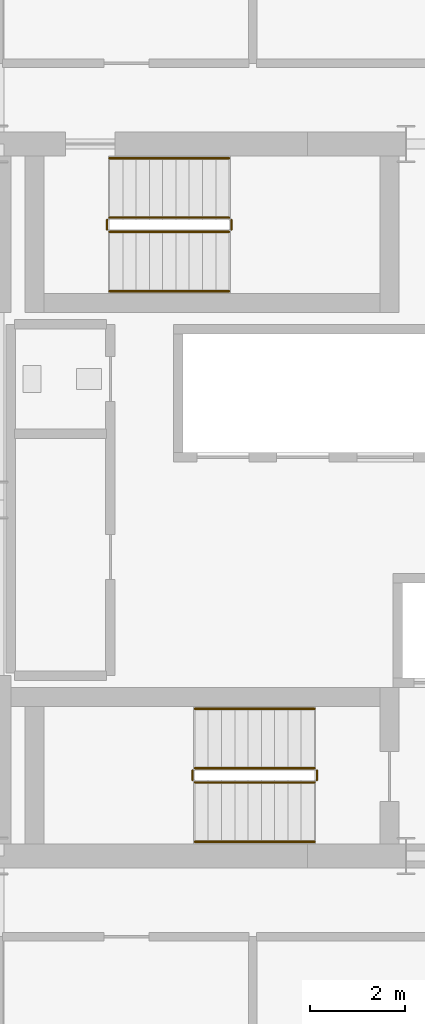
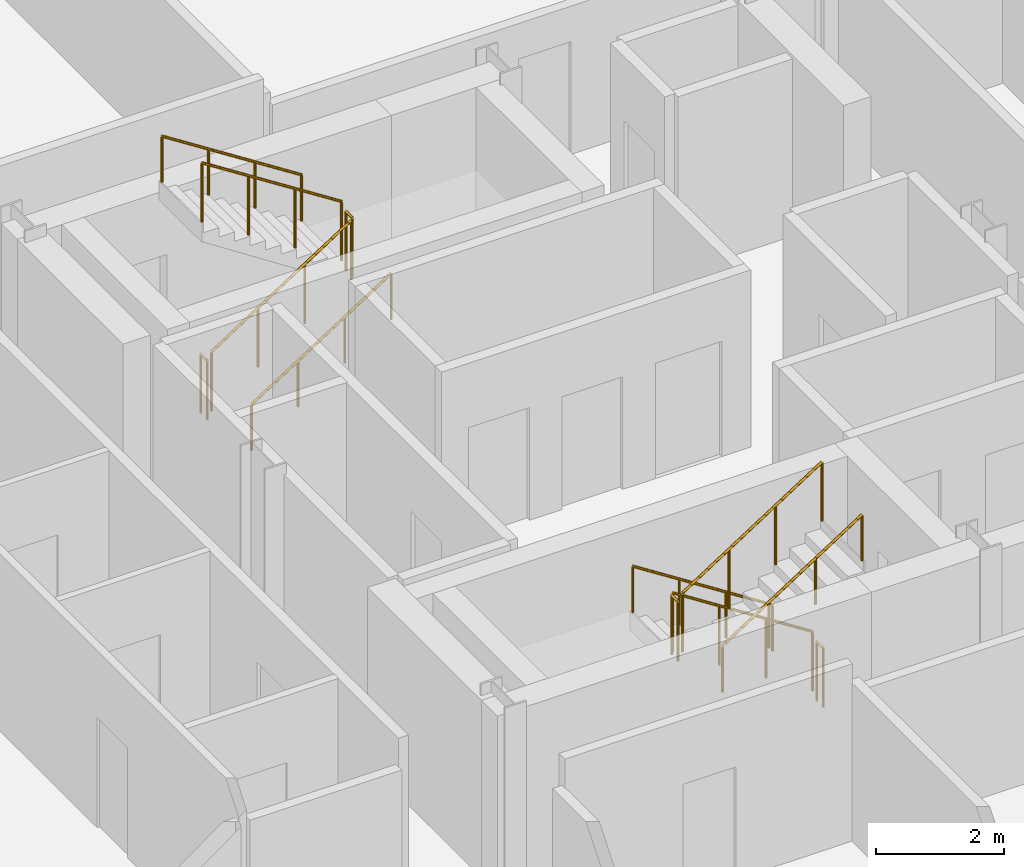
# One storey, part 23 of 24: 12 railings.
"""IFC4 building model written with IfcOpenShell, lengths in metres."""

from ifc_helpers import new_model, si_unit, direction, frame, origin, origin_2d, place, context, subcontext, project, spatial, circle, extrude, material, type_object, element, save


model = new_model("IFC4")

# Units and contexts
model_context = context("Model", 3, precision=1e-05, world=origin(), true_north=direction((0.0, 1.0)))
body_context = subcontext(model_context, "Body", "Model", "MODEL_VIEW")
ifc_project = project(units=[si_unit("LENGTHUNIT", "METRE"), si_unit("AREAUNIT", "SQUARE_METRE"), si_unit("VOLUMEUNIT", "CUBIC_METRE"), si_unit("PLANEANGLEUNIT", "RADIAN"), si_unit("MASSUNIT", "GRAM", prefix="KILO")], contexts=[model_context])

# Site, building, storey
site_placement = place(None, origin())
site = spatial("IfcSite", under=ifc_project, at=site_placement, CompositionType="ELEMENT")
building_placement = place(site_placement, origin())
building = spatial("IfcBuilding", under=site, at=building_placement, Name="Barlavira Tower and Art Museum", CompositionType="ELEMENT")
storey_placement = place(building_placement, frame((0.0, 0.0, 294.300048828125)))
storey = spatial("IfcBuildingStorey", under=building, at=storey_placement, Name="L77", CompositionType="ELEMENT", Elevation=294.300048828125)

# Railings
ifc_material = material(Name="Brushed stainless steel", Category="steel")
railing_type_1 = type_object("IfcRailingType", Name="Interior Void and Landing Guard Railing 1150", PredefinedType="GUARDRAIL", material=ifc_material)
railing_1_placement = place(storey_placement, frame((0.14990234375, -5.64990234375, 0.179931640625)))
element("IfcRailing", 1, at=railing_1_placement, inside=storey, type_object=railing_type_1, Name="L77 ST-T1 stair guard 1", PredefinedType="GUARDRAIL", context=body_context, shape_type="SweptSolid", body=[
    extrude(circle(Radius=0.02392578125, at=origin_2d()), frame((0.0, 0.0, 1.1259765625), z_axis=(-0.841162588446, 0.0, 0.540782303519), x_axis=(0.0, -1.0, 0.0)), (0.0, 0.0, 1.0), 2.995849609375),
    extrude(circle(Radius=0.02099609375, at=origin_2d()), origin(), (0.0, 0.0, 1.0), 1.101806640625),
    extrude(circle(Radius=0.02099609375, at=origin_2d()), frame((-0.840087890625, 0.0, 0.5400390625)), (0.0, 0.0, 1.0), 1.101806640625),
    extrude(circle(Radius=0.02099609375, at=origin_2d()), frame((-1.679931640625, 0.0, 1.080078125)), (0.0, 0.0, 1.0), 1.101806640625),
    extrude(circle(Radius=0.02099609375, at=origin_2d()), frame((-2.52001953125, 0.0, 1.6201171875)), (0.0, 0.0, 1.0), 1.101806640625),
])
railing_2_placement = place(storey_placement, frame((-2.419921875, -5.699951171875, 1.800048828125)))
element("IfcRailing", 2, at=railing_2_placement, inside=storey, type_object=railing_type_1, Name="L77 ST-T1 stair guard 2", PredefinedType="GUARDRAIL", context=body_context, shape_type="SweptSolid", body=[
    extrude(circle(Radius=0.02392578125, at=origin_2d()), frame((0.0, 0.0, 1.1259765625), z_axis=(0.0, -1.0, 0.0), x_axis=(1.0, 0.0, 0.0)), (0.0, 0.0, 1.0), 0.199951171875),
    extrude(circle(Radius=0.02099609375, at=origin_2d()), origin(), (0.0, 0.0, 1.0), 1.101806640625),
    extrude(circle(Radius=0.02099609375, at=origin_2d()), frame((0.0, -0.199951171875, 0.0)), (0.0, 0.0, 1.0), 1.101806640625),
])
railing_3_placement = place(storey_placement, frame((-2.3701171875, -5.949951171875, 1.97998046875)))
element("IfcRailing", 3, at=railing_3_placement, inside=storey, type_object=railing_type_1, Name="L77 ST-T1 stair guard 3", PredefinedType="GUARDRAIL", context=body_context, shape_type="SweptSolid", body=[
    extrude(circle(Radius=0.02392578125, at=origin_2d()), frame((0.0, 0.0, 1.1259765625), z_axis=(0.841199657755, 0.0, 0.540724639528), x_axis=(0.0, 1.0, 0.0)), (0.0, 0.0, 1.0), 2.995849609375),
    extrude(circle(Radius=0.02099609375, at=origin_2d()), origin(), (0.0, 0.0, 1.0), 1.101806640625),
    extrude(circle(Radius=0.02099609375, at=origin_2d()), frame((0.840087890625, 0.0, 0.5400390625)), (0.0, 0.0, 1.0), 1.101806640625),
    extrude(circle(Radius=0.02099609375, at=origin_2d()), frame((1.679931640625, 0.0, 1.079833984375)), (0.0, 0.0, 1.0), 1.101806640625),
    extrude(circle(Radius=0.02099609375, at=origin_2d()), frame((2.52001953125, 0.0, 1.619873046875)), (0.0, 0.0, 1.0), 1.101806640625),
])
railing_4_placement = place(storey_placement, frame((0.199951171875, -5.699951171875, 0.0)))
element("IfcRailing", 4, at=railing_4_placement, inside=storey, type_object=railing_type_1, Name="L77 ST-T1 stair guard 4", PredefinedType="GUARDRAIL", context=body_context, shape_type="SweptSolid", body=[
    extrude(circle(Radius=0.02392578125, at=origin_2d()), frame((0.0, 0.0, 1.1259765625), z_axis=(0.0, -1.0, 0.0), x_axis=(1.0, 0.0, 0.0)), (0.0, 0.0, 1.0), 0.199951171875),
    extrude(circle(Radius=0.02099609375, at=origin_2d()), origin(), (0.0, 0.0, 1.0), 1.101806640625),
    extrude(circle(Radius=0.02099609375, at=origin_2d()), frame((0.0, -0.199951171875, 0.0)), (0.0, 0.0, 1.0), 1.101806640625),
])
railing_5_placement = place(storey_placement, frame((-4.169921875, 5.64990234375, 0.179931640625)))
element("IfcRailing", 5, at=railing_5_placement, inside=storey, type_object=railing_type_1, Name="L77 ST-T2 stair guard 1", PredefinedType="GUARDRAIL", context=body_context, shape_type="SweptSolid", body=[
    extrude(circle(Radius=0.02392578125, at=origin_2d()), frame((0.0, 0.0, 1.1259765625), z_axis=(0.841162588446, 0.0, 0.540782303519), x_axis=(0.0, 1.0, 0.0)), (0.0, 0.0, 1.0), 2.995849609375),
    extrude(circle(Radius=0.02099609375, at=origin_2d()), origin(), (0.0, 0.0, 1.0), 1.101806640625),
    extrude(circle(Radius=0.02099609375, at=origin_2d()), frame((0.840087890625, 0.0, 0.5400390625)), (0.0, 0.0, 1.0), 1.101806640625),
    extrude(circle(Radius=0.02099609375, at=origin_2d()), frame((1.679931640625, 0.0, 1.080078125)), (0.0, 0.0, 1.0), 1.101806640625),
    extrude(circle(Radius=0.02099609375, at=origin_2d()), frame((2.52001953125, 0.0, 1.6201171875)), (0.0, 0.0, 1.0), 1.101806640625),
])
railing_6_placement = place(storey_placement, frame((-1.60009765625, 5.699951171875, 1.800048828125)))
element("IfcRailing", 6, at=railing_6_placement, inside=storey, type_object=railing_type_1, Name="L77 ST-T2 stair guard 2", PredefinedType="GUARDRAIL", context=body_context, shape_type="SweptSolid", body=[
    extrude(circle(Radius=0.02392578125, at=origin_2d()), frame((0.0, 0.0, 1.1259765625), z_axis=(0.0, 1.0, 0.0), x_axis=(-1.0, 0.0, 0.0)), (0.0, 0.0, 1.0), 0.199951171875),
    extrude(circle(Radius=0.02099609375, at=origin_2d()), origin(), (0.0, 0.0, 1.0), 1.101806640625),
    extrude(circle(Radius=0.02099609375, at=origin_2d()), frame((0.0, 0.199951171875, 0.0)), (0.0, 0.0, 1.0), 1.101806640625),
])
railing_7_placement = place(storey_placement, frame((-1.64990234375, 5.949951171875, 1.97998046875)))
element("IfcRailing", 7, at=railing_7_placement, inside=storey, type_object=railing_type_1, Name="L77 ST-T2 stair guard 3", PredefinedType="GUARDRAIL", context=body_context, shape_type="SweptSolid", body=[
    extrude(circle(Radius=0.02392578125, at=origin_2d()), frame((0.0, 0.0, 1.1259765625), z_axis=(-0.841199657755, 0.0, 0.540724639528), x_axis=(0.0, -1.0, 0.0)), (0.0, 0.0, 1.0), 2.995849609375),
    extrude(circle(Radius=0.02099609375, at=origin_2d()), origin(), (0.0, 0.0, 1.0), 1.101806640625),
    extrude(circle(Radius=0.02099609375, at=origin_2d()), frame((-0.840087890625, 0.0, 0.5400390625)), (0.0, 0.0, 1.0), 1.101806640625),
    extrude(circle(Radius=0.02099609375, at=origin_2d()), frame((-1.679931640625, 0.0, 1.079833984375)), (0.0, 0.0, 1.0), 1.101806640625),
    extrude(circle(Radius=0.02099609375, at=origin_2d()), frame((-2.52001953125, 0.0, 1.619873046875)), (0.0, 0.0, 1.0), 1.101806640625),
])
railing_8_placement = place(storey_placement, frame((-4.219970703125, 5.699951171875, 0.0)))
element("IfcRailing", 8, at=railing_8_placement, inside=storey, type_object=railing_type_1, Name="L77 ST-T2 stair guard 4", PredefinedType="GUARDRAIL", context=body_context, shape_type="SweptSolid", body=[
    extrude(circle(Radius=0.02392578125, at=origin_2d()), frame((0.0, 0.0, 1.1259765625), z_axis=(0.0, 1.0, 0.0), x_axis=(-1.0, 0.0, 0.0)), (0.0, 0.0, 1.0), 0.199951171875),
    extrude(circle(Radius=0.02099609375, at=origin_2d()), origin(), (0.0, 0.0, 1.0), 1.101806640625),
    extrude(circle(Radius=0.02099609375, at=origin_2d()), frame((0.0, 0.199951171875, 0.0)), (0.0, 0.0, 1.0), 1.101806640625),
])
railing_type_2 = type_object("IfcRailingType", Name="Stair Pitch Tubular Steel Handrail 920", PredefinedType="HANDRAIL", material=ifc_material)
railing_9_placement = place(storey_placement, frame((0.14990234375, -4.39990234375, 0.179931640625)))
element("IfcRailing", 9, at=railing_9_placement, inside=storey, type_object=railing_type_2, Name="L77 ST-T1 stair handrail 1", PredefinedType="HANDRAIL", context=body_context, shape_type="SweptSolid", body=[
    extrude(circle(Radius=0.02392578125, at=origin_2d()), frame((0.0, 0.0, 0.8759765625), z_axis=(-0.841162588446, 0.0, 0.540782303519), x_axis=(0.0, -1.0, 0.0)), (0.0, 0.0, 1.0), 2.995849609375),
    extrude(circle(Radius=0.02099609375, at=origin_2d()), origin(), (0.0, 0.0, 1.0), 0.851806640625),
    extrude(circle(Radius=0.02099609375, at=origin_2d()), frame((-0.840087890625, 0.0, 0.5400390625)), (0.0, 0.0, 1.0), 0.851806640625),
    extrude(circle(Radius=0.02099609375, at=origin_2d()), frame((-1.679931640625, 0.0, 1.080078125)), (0.0, 0.0, 1.0), 0.851806640625),
    extrude(circle(Radius=0.02099609375, at=origin_2d()), frame((-2.52001953125, 0.0, 1.6201171875)), (0.0, 0.0, 1.0), 0.851806640625),
])
railing_10_placement = place(storey_placement, frame((-2.3701171875, -7.199951171875, 1.97998046875)))
element("IfcRailing", 10, at=railing_10_placement, inside=storey, type_object=railing_type_2, Name="L77 ST-T1 stair handrail 2", PredefinedType="HANDRAIL", context=body_context, shape_type="SweptSolid", body=[
    extrude(circle(Radius=0.02392578125, at=origin_2d()), frame((0.0, 0.0, 0.8759765625), z_axis=(0.841199657755, 0.0, 0.540724639528), x_axis=(0.0, 1.0, 0.0)), (0.0, 0.0, 1.0), 2.995849609375),
    extrude(circle(Radius=0.02099609375, at=origin_2d()), origin(), (0.0, 0.0, 1.0), 0.851806640625),
    extrude(circle(Radius=0.02099609375, at=origin_2d()), frame((0.840087890625, 0.0, 0.5400390625)), (0.0, 0.0, 1.0), 0.851806640625),
    extrude(circle(Radius=0.02099609375, at=origin_2d()), frame((1.679931640625, 0.0, 1.079833984375)), (0.0, 0.0, 1.0), 0.851806640625),
    extrude(circle(Radius=0.02099609375, at=origin_2d()), frame((2.52001953125, 0.0, 1.619873046875)), (0.0, 0.0, 1.0), 0.851806640625),
])
railing_11_placement = place(storey_placement, frame((-4.169921875, 4.39990234375, 0.179931640625)))
element("IfcRailing", 11, at=railing_11_placement, inside=storey, type_object=railing_type_2, Name="L77 ST-T2 stair handrail 1", PredefinedType="HANDRAIL", context=body_context, shape_type="SweptSolid", body=[
    extrude(circle(Radius=0.02392578125, at=origin_2d()), frame((0.0, 0.0, 0.8759765625), z_axis=(0.841162588446, 0.0, 0.540782303519), x_axis=(0.0, 1.0, 0.0)), (0.0, 0.0, 1.0), 2.995849609375),
    extrude(circle(Radius=0.02099609375, at=origin_2d()), origin(), (0.0, 0.0, 1.0), 0.851806640625),
    extrude(circle(Radius=0.02099609375, at=origin_2d()), frame((0.840087890625, 0.0, 0.5400390625)), (0.0, 0.0, 1.0), 0.851806640625),
    extrude(circle(Radius=0.02099609375, at=origin_2d()), frame((1.679931640625, 0.0, 1.080078125)), (0.0, 0.0, 1.0), 0.851806640625),
    extrude(circle(Radius=0.02099609375, at=origin_2d()), frame((2.52001953125, 0.0, 1.6201171875)), (0.0, 0.0, 1.0), 0.851806640625),
])
railing_12_placement = place(storey_placement, frame((-1.64990234375, 7.199951171875, 1.97998046875)))
element("IfcRailing", 12, at=railing_12_placement, inside=storey, type_object=railing_type_2, Name="L77 ST-T2 stair handrail 2", PredefinedType="HANDRAIL", context=body_context, shape_type="SweptSolid", body=[
    extrude(circle(Radius=0.02392578125, at=origin_2d()), frame((0.0, 0.0, 0.8759765625), z_axis=(-0.841199657755, 0.0, 0.540724639528), x_axis=(0.0, -1.0, 0.0)), (0.0, 0.0, 1.0), 2.995849609375),
    extrude(circle(Radius=0.02099609375, at=origin_2d()), origin(), (0.0, 0.0, 1.0), 0.851806640625),
    extrude(circle(Radius=0.02099609375, at=origin_2d()), frame((-0.840087890625, 0.0, 0.5400390625)), (0.0, 0.0, 1.0), 0.851806640625),
    extrude(circle(Radius=0.02099609375, at=origin_2d()), frame((-1.679931640625, 0.0, 1.079833984375)), (0.0, 0.0, 1.0), 0.851806640625),
    extrude(circle(Radius=0.02099609375, at=origin_2d()), frame((-2.52001953125, 0.0, 1.619873046875)), (0.0, 0.0, 1.0), 0.851806640625),
])

save(model, "model.ifc")
